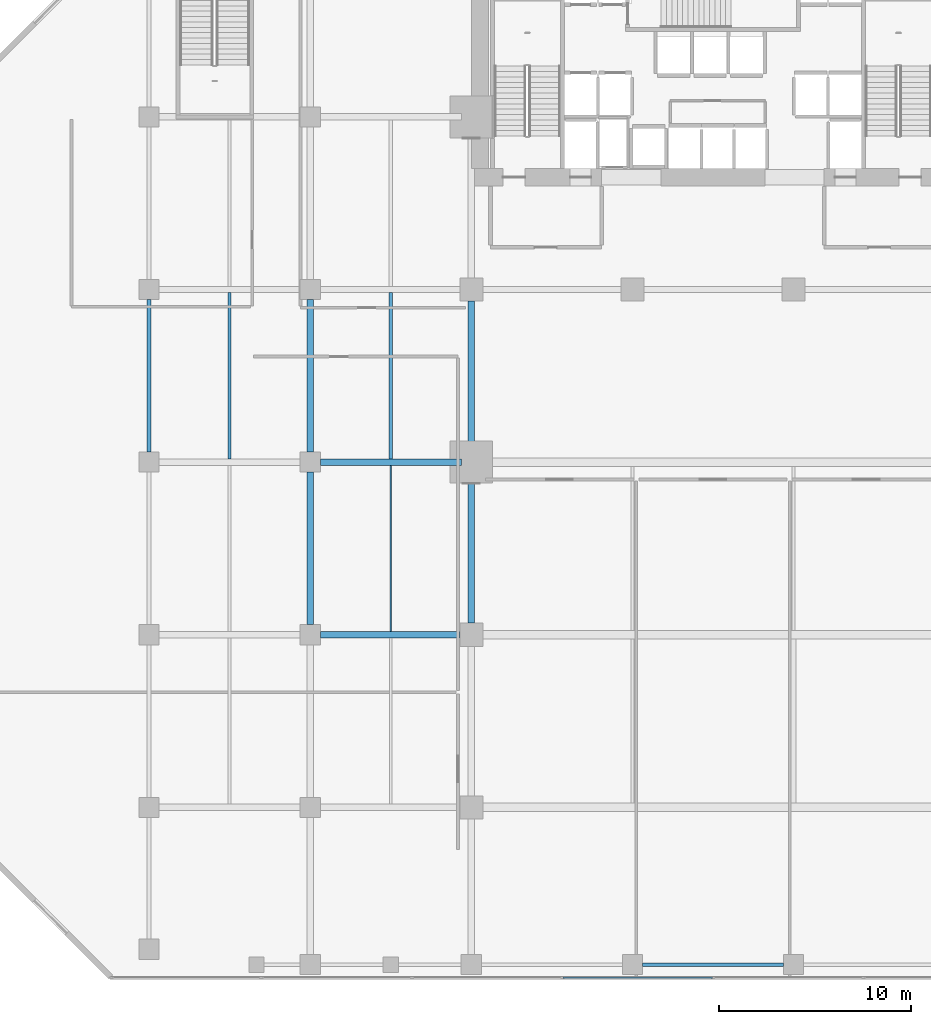
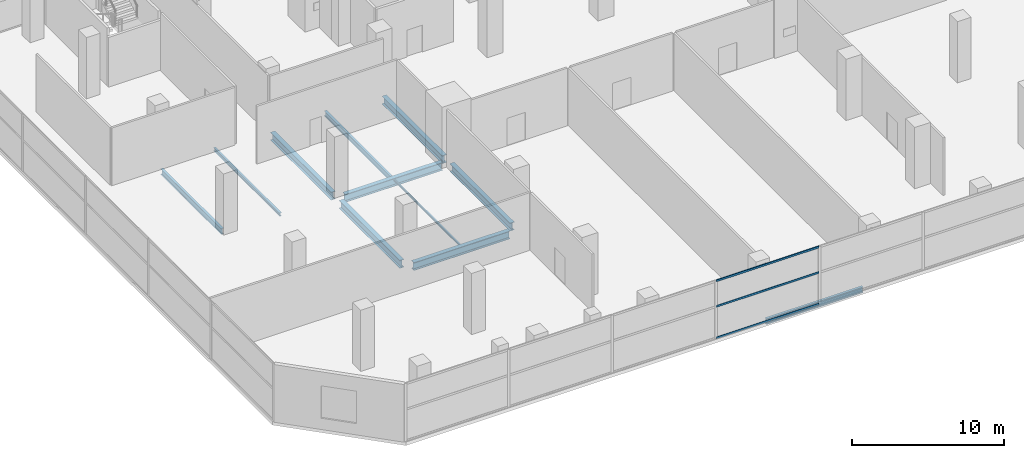
# One storey, part 12 of 39: 11 beams, 3 members, 1 element without a shape of its own.
"""IFC4 building model written with IfcOpenShell, lengths in metres."""

import ifcopenshell
import ifcopenshell.guid

model = None  # the IFC model being written
_history = None  # IfcOwnerHistory: only IFC2X3 demands one
_inside = {}  # id of a spatial element -> (the spatial element, [elements in it])
_under = {}  # id of a project, library or spatial element -> (it, [spatial elements below it])
_declared = {}  # id of a project -> (the project, [libraries it declares])
_typed = {}  # id of a type object -> (the type object, [elements of that type])
_made_of = {}  # id of a material, layer set ... -> (it, [elements and type objects made of it])


def new_model(schema):
    """Start an empty IFC model of exactly this schema.

    Asked for "IFC4X3", IfcOpenShell would pick the latest addendum, in which some entities
    have other attributes; the version numbers below select the first issue.
    IFC2X3 requires an IfcOwnerHistory on every rooted entity: one is made here for all.
    """
    global model, _history
    if schema == "IFC4X3":
        model = ifcopenshell.file(schema_version=(4, 3, 0, 0))
    else:
        model = ifcopenshell.file(schema=schema)
    _inside.clear()
    _under.clear()
    _declared.clear()
    _typed.clear()
    _made_of.clear()
    _history = None
    if model.schema == "IFC2X3":
        org = make("IfcOrganization", Name="unknown")
        user = make(
            "IfcPersonAndOrganization",
            ThePerson=make("IfcPerson", FamilyName="unknown"),
            TheOrganization=org,
        )
        app = make(
            "IfcApplication",
            ApplicationDeveloper=org,
            Version="unknown",
            ApplicationFullName="unknown",
            ApplicationIdentifier="unknown",
        )
        _history = make(
            "IfcOwnerHistory",
            OwningUser=user,
            OwningApplication=app,
            ChangeAction="ADDED",
            CreationDate=0,
        )
    return model


def make(cls, **values):
    """One entity of the class cls with the attributes given. An attribute that is None is left unset."""
    return model.create_entity(
        cls, **{name: value for name, value in values.items() if value is not None}
    )


def rooted(cls, **values):
    """An entity with a GlobalId (a new one), such as an element, a storey or a relation."""
    return make(cls, GlobalId=ifcopenshell.guid.new(), OwnerHistory=_history, **values)


def si_unit(unit_type, name, prefix=None):
    """IfcSIUnit, for example si_unit("LENGTHUNIT", "METRE", prefix="MILLI")."""
    return make("IfcSIUnit", UnitType=unit_type, Prefix=prefix, Name=name)


def assignment(units):
    """IfcUnitAssignment: the units of a project."""
    return None if units is None else make("IfcUnitAssignment", Units=units)


def point(xyz):
    """IfcCartesianPoint."""
    return None if xyz is None else make("IfcCartesianPoint", Coordinates=xyz)


def direction(xyz):
    """IfcDirection."""
    return None if xyz is None else make("IfcDirection", DirectionRatios=xyz)


def frame(location, z_axis=None, x_axis=None):
    """IfcAxis2Placement3D, a coordinate frame: its origin and axes. An axis left out is left unset."""
    return make(
        "IfcAxis2Placement3D",
        Location=point(location),
        Axis=direction(z_axis),
        RefDirection=direction(x_axis),
    )


def frame_2d(location, x_axis=None):
    """IfcAxis2Placement2D, a coordinate frame in the plane: its origin and x axis."""
    return make(
        "IfcAxis2Placement2D", Location=point(location), RefDirection=direction(x_axis)
    )


def origin():
    """The frame at (0, 0, 0) with its axes left unset."""
    return frame((0.0, 0.0, 0.0))


def origin_2d():
    """The frame at (0, 0) in the plane with its x axis left unset."""
    return frame_2d((0.0, 0.0))


def place(relative_to, where):
    """IfcLocalPlacement: puts the frame where relative to a parent placement (None: the world)."""
    return make(
        "IfcLocalPlacement", PlacementRelTo=relative_to, RelativePlacement=where
    )


def context(
    kind, dimensions, precision=None, world=None, true_north=None, identifier=None
):
    """IfcGeometricRepresentationContext, for example the 3D "Model" context."""
    return make(
        "IfcGeometricRepresentationContext",
        ContextIdentifier=identifier,
        ContextType=kind,
        CoordinateSpaceDimension=dimensions,
        Precision=precision,
        WorldCoordinateSystem=world,
        TrueNorth=true_north,
    )


def subcontext(parent, identifier, kind, view, scale=None):
    """IfcGeometricRepresentationSubContext, for example "Body" below "Model"."""
    return make(
        "IfcGeometricRepresentationSubContext",
        ContextIdentifier=identifier,
        ContextType=kind,
        ParentContext=parent,
        TargetScale=scale,
        TargetView=view,
    )


def project(units=None, contexts=None):
    """IfcProject with its units and contexts."""
    return rooted(
        "IfcProject",
        Name="project",
        RepresentationContexts=contexts,
        UnitsInContext=assignment(units),
    )


def spatial(cls, under=None, at=None, **own):
    """A site, building, storey or space (cls), placed at a placement, below another one or the project."""
    s = rooted(cls, ObjectPlacement=at, **own)
    if under is not None:
        _under.setdefault(under.id(), (under, []))[1].append(s)
    return s


def profile(cls, at=None, kind="AREA", **sizes):
    """A parametric profile (cls). Its sizes go by their IFC names, for example OverallWidth=200.0."""
    return make(cls, ProfileType=kind, Position=at, **sizes)


def hollow_rectangle(**sizes):
    """IfcRectangleHollowProfileDef."""
    return profile("IfcRectangleHollowProfileDef", **sizes)


def i_section(**sizes):
    """IfcIShapeProfileDef."""
    return profile("IfcIShapeProfileDef", **sizes)


def extrude(swept, where, along, depth):
    """IfcExtrudedAreaSolid: the profile swept, set in the frame where, extruded along a direction by depth."""
    return make(
        "IfcExtrudedAreaSolid",
        SweptArea=swept,
        Position=where,
        ExtrudedDirection=direction(along),
        Depth=depth,
    )


def shape(context_of_items, identifier, shape_type, items):
    """IfcShapeRepresentation: the items that make up one representation, for example the "Body"."""
    return make(
        "IfcShapeRepresentation",
        ContextOfItems=context_of_items,
        RepresentationIdentifier=identifier,
        RepresentationType=shape_type,
        Items=items,
    )


def material(Name=None, Category=None):
    """IfcMaterial."""
    return make("IfcMaterial", Name=Name, Category=Category)


def layer(
    of_material, thickness, ventilated=None, Name=None, Category=None, Priority=None
):
    """IfcMaterialLayer: one layer of a wall or slab, of a material (None: an air gap)."""
    return make(
        "IfcMaterialLayer",
        Material=of_material,
        LayerThickness=thickness,
        IsVentilated=ventilated,
        Name=Name,
        Category=Category,
        Priority=Priority,
    )


def layer_set(layers, Name=None):
    """IfcMaterialLayerSet."""
    return make("IfcMaterialLayerSet", MaterialLayers=layers, LayerSetName=Name)


def material_profile(
    of_material, cross_section, Name=None, Category=None, Priority=None
):
    """IfcMaterialProfile: a cross section and its material."""
    return make(
        "IfcMaterialProfile",
        Name=Name,
        Material=of_material,
        Profile=cross_section,
        Priority=Priority,
        Category=Category,
    )


def profile_set(profiles, Name=None, composite=None):
    """IfcMaterialProfileSet."""
    return make(
        "IfcMaterialProfileSet",
        Name=Name,
        MaterialProfiles=profiles,
        CompositeProfile=composite,
    )


def made_of(thing, what):
    """Note that an element or type object is made of a material, layer set ...; save() writes the relation."""
    if what is not None:
        _made_of.setdefault(what.id(), (what, []))[1].append(thing)
    return thing


def type_object(cls, material=None, **own):
    """A type object (cls), such as IfcWallType, which elements share."""
    return made_of(rooted(cls, **own), material)


def element(
    cls,
    number,
    at=None,
    inside=None,
    cuts=None,
    type_object=None,
    material=None,
    context=None,
    identifier="Body",
    shape_type=None,
    held_by="IfcProductDefinitionShape",
    body=None,
    shapes=None,
    **own,
):
    """One element of the class cls, such as IfcWall. Its Tag is "e" and its number.

    at: its placement. inside: the storey or other place that contains it. cuts: it is an
    opening in that element (IfcRelVoidsElement). A single representation is given by context,
    identifier, shape_type and body (its items); several are given by shapes. held_by: the class
    of the entity that holds the representations. save() writes the other relations.
    """
    e = rooted(cls, Tag="e%d" % number, ObjectPlacement=at, **own)
    if body is not None:
        shapes = [shape(context, identifier, shape_type, body)]
    if shapes is not None:
        e.Representation = make(held_by, Representations=shapes)
    if inside is not None:
        _inside.setdefault(inside.id(), (inside, []))[1].append(e)
    if cuts is not None:
        rooted(
            "IfcRelVoidsElement", RelatingBuildingElement=cuts, RelatedOpeningElement=e
        )
    if type_object is not None:
        _typed.setdefault(type_object.id(), (type_object, []))[1].append(e)
    return made_of(e, material)


def aggregate(whole, parts):
    """IfcRelAggregates: a whole, such as a stair, and the parts it consists of."""
    return rooted("IfcRelAggregates", RelatingObject=whole, RelatedObjects=parts)


def save(model, path):
    """Write the relations noted so far, then the file.

    IfcRelAggregates (storeys below a building ...), IfcRelContainedInSpatialStructure (elements
    in a storey), IfcRelDefinesByType, IfcRelAssociatesMaterial and IfcRelDeclares: one each for
    every whole, place, type object, material and project.
    """
    for whole, parts in _under.values():
        aggregate(whole, parts)
    for where, things in _inside.values():
        rooted(
            "IfcRelContainedInSpatialStructure",
            RelatedElements=things,
            RelatingStructure=where,
        )
    for kind, things in _typed.values():
        rooted("IfcRelDefinesByType", RelatedObjects=things, RelatingType=kind)
    for what, things in _made_of.values():
        rooted("IfcRelAssociatesMaterial", RelatedObjects=things, RelatingMaterial=what)
    for by, libraries in _declared.values():
        rooted("IfcRelDeclares", RelatingContext=by, RelatedDefinitions=libraries)
    model.write(path)


model = new_model("IFC4")

# Units and contexts
model_context = context("Model", 3, precision=1e-05, world=origin(), true_north=direction((0.0, 1.0)))
body_context = subcontext(model_context, "Body", "Model", "MODEL_VIEW")
ifc_project = project(units=[si_unit("LENGTHUNIT", "METRE"), si_unit("AREAUNIT", "SQUARE_METRE"), si_unit("VOLUMEUNIT", "CUBIC_METRE"), si_unit("PLANEANGLEUNIT", "RADIAN"), si_unit("MASSUNIT", "GRAM", prefix="KILO")], contexts=[model_context])

# Site, building, storey
site_placement = place(None, origin())
site = spatial("IfcSite", under=ifc_project, at=site_placement, CompositionType="ELEMENT")
building_placement = place(site_placement, origin())
building = spatial("IfcBuilding", under=site, at=building_placement, Name="Maruvema Waterfront Hotel and Observation Tower", CompositionType="ELEMENT")
storey_placement = place(building_placement, frame((0.0, 0.0, 16.449951171875)))
storey = spatial("IfcBuildingStorey", under=building, at=storey_placement, Name="L03", CompositionType="ELEMENT", Elevation=16.449951171875)

# Curtain wall, members
ifc_material_1 = material(Name="Anodised bronze aluminium and solar-control low-E IGU", Category="aluminium")
ifc_layer = layer(ifc_material_1, 0.159912109375, Name="Podium Waterfront Storefront Curtain Wall System CW-01")
ifc_layer_set = layer_set([ifc_layer], Name="Anodised bronze aluminium and solar-control low-E IGU")
curtain_wall_type = type_object("IfcCurtainWallType", Name="Podium Waterfront Storefront Curtain Wall System CW-01", PredefinedType="USERDEFINED", material=ifc_layer_set)
curtain_wall_placement = place(storey_placement, origin())
curtain_wall = element("IfcCurtainWall", 1, at=curtain_wall_placement, inside=storey, type_object=curtain_wall_type, Name="L03 Curtain Wall CW-L03-S", ObjectType="UNITISED CURTAIN WALL", PredefinedType="USERDEFINED")
ifc_material_2 = material(Name="Anodised architectural bronze aluminium", Category="aluminium")
ifc_material_profile_1 = material_profile(ifc_material_2, hollow_rectangle(XDim=0.070068359375, YDim=0.14990234375, WallThickness=0.00390625, at=origin_2d()), Name="ALU-T70x150")
ifc_profile_set_1 = profile_set([ifc_material_profile_1], Name="Anodised architectural bronze aluminium")
member_type = type_object("IfcMemberType", Name="Curtain Wall Horizontal Transom ALU-T70x150", PredefinedType="USERDEFINED", material=ifc_profile_set_1)
member_1_placement = place(storey_placement, frame((29.97998046875, 0.1201171875, 0.030029296875), z_axis=(1.0, 0.0, 0.0), x_axis=(0.0, 1.0, 0.0)))
member_1 = element("IfcMember", 2, at=member_1_placement, type_object=member_type, Name="CW-01 transom 4.1", ObjectType="TRANSOM", PredefinedType="USERDEFINED", context=body_context, shape_type="SweptSolid", body=[
    extrude(hollow_rectangle(XDim=0.070068359375, YDim=0.14990234375, WallThickness=0.00390625, at=origin_2d()), origin(), (0.0, 0.0, 1.0), 7.7900390625),
])
member_2_placement = place(storey_placement, frame((29.97998046875, 0.1201171875, 2.550048828125), z_axis=(1.0, 0.0, 0.0), x_axis=(0.0, 1.0, 0.0)))
member_2 = element("IfcMember", 3, at=member_2_placement, type_object=member_type, Name="CW-01 transom 4.2", ObjectType="TRANSOM", PredefinedType="USERDEFINED", context=body_context, shape_type="SweptSolid", body=[
    extrude(hollow_rectangle(XDim=0.070068359375, YDim=0.14990234375, WallThickness=0.00390625, at=origin_2d()), origin(), (0.0, 0.0, 1.0), 7.7900390625),
])
member_3_placement = place(storey_placement, frame((29.97998046875, 0.1201171875, 4.590087890625), z_axis=(1.0, 0.0, 0.0), x_axis=(0.0, 1.0, 0.0)))
member_3 = element("IfcMember", 4, at=member_3_placement, type_object=member_type, Name="CW-01 transom 4.3", ObjectType="TRANSOM", PredefinedType="USERDEFINED", context=body_context, shape_type="SweptSolid", body=[
    extrude(hollow_rectangle(XDim=0.070068359375, YDim=0.14990234375, WallThickness=0.00390625, at=origin_2d()), origin(), (0.0, 0.0, 1.0), 7.7900390625),
])
aggregate(curtain_wall, [member_1, member_2, member_3])

# Beams
ifc_material_3 = material(Name="Steel ASTM A572 Grade 50", Category="steel")
ifc_material_profile_2 = material_profile(ifc_material_3, i_section(OverallWidth=0.18994140625, OverallDepth=0.45703125, WebThickness=0.009033203125, FlangeThickness=0.014404296875, FilletRadius=0.014892578125, at=origin_2d()), Name="W460x74.0")
ifc_profile_set_2 = profile_set([ifc_material_profile_2], Name="Steel ASTM A572 Grade 50")
beam_type_1 = type_object("IfcBeamType", Name="Perimeter Spandrel Beam W460x74.0", PredefinedType="SPANDREL", material=ifc_profile_set_2)
beam_1_placement = place(storey_placement, frame((34.125, 0.800048828125, -0.508544921875), z_axis=(1.0, 0.0, 0.0), x_axis=(0.0, 1.0, 0.0)))
element("IfcBeam", 5, at=beam_1_placement, inside=storey, type_object=beam_type_1, Name="L03 Floor Girder EW-05", PredefinedType="SPANDREL", context=body_context, shape_type="SweptSolid", body=[
    extrude(i_section(OverallWidth=0.18994140625, OverallDepth=0.45703125, WebThickness=0.009033203125, FlangeThickness=0.014404296875, FilletRadius=0.014892578125, at=origin_2d()), origin(), (0.0, 0.0, 1.0), 7.35009765625),
])
beam_2_placement = place(storey_placement, frame((8.39990234375, 27.52490234375, -0.508544921875), z_axis=(0.0, 1.0, 0.0), x_axis=(-1.0, 0.0, 0.0)))
element("IfcBeam", 6, at=beam_2_placement, inside=storey, type_object=beam_type_1, Name="L03 Floor Girder NS-04", PredefinedType="SPANDREL", context=body_context, shape_type="SweptSolid", body=[
    extrude(i_section(OverallWidth=0.18994140625, OverallDepth=0.45703125, WebThickness=0.009033203125, FlangeThickness=0.014404296875, FilletRadius=0.014892578125, at=origin_2d()), origin(), (0.0, 0.0, 1.0), 7.9501953125),
])
ifc_material_4 = material(Name="Steel ASTM A572 Grade 50", Category="steel")
ifc_material_profile_3 = material_profile(ifc_material_4, i_section(OverallWidth=0.3291015625, OverallDepth=0.635009765625, WebThickness=0.017822265625, FlangeThickness=0.031005859375, FilletRadius=0.01806640625, at=origin_2d()), Name="W610x241.0")
ifc_profile_set_3 = profile_set([ifc_material_profile_3], Name="Steel ASTM A572 Grade 50")
beam_type_2 = type_object("IfcBeamType", Name="Primary Floor Girder W610x241.0", PredefinedType="BEAM", material=ifc_profile_set_3)
beam_3_placement = place(storey_placement, frame((17.324951171875, 18.0, -0.597412109375), z_axis=(1.0, 0.0, 0.0), x_axis=(0.0, 1.0, 0.0)))
element("IfcBeam", 7, at=beam_3_placement, inside=storey, type_object=beam_type_2, Name="L03 Floor Girder EW-16", PredefinedType="BEAM", context=body_context, shape_type="SweptSolid", body=[
    extrude(i_section(OverallWidth=0.3291015625, OverallDepth=0.635009765625, WebThickness=0.017822265625, FlangeThickness=0.031005859375, FilletRadius=0.01806640625, at=origin_2d()), origin(), (0.0, 0.0, 1.0), 7.275146484375),
])
beam_4_placement = place(storey_placement, frame((17.324951171875, 27.0, -0.597412109375), z_axis=(1.0, 0.0, 0.0), x_axis=(0.0, 1.0, 0.0)))
element("IfcBeam", 8, at=beam_4_placement, inside=storey, type_object=beam_type_2, Name="L03 Floor Girder EW-21", PredefinedType="BEAM", context=body_context, shape_type="SweptSolid", body=[
    extrude(i_section(OverallWidth=0.3291015625, OverallDepth=0.635009765625, WebThickness=0.017822265625, FlangeThickness=0.031005859375, FilletRadius=0.01806640625, at=origin_2d()), origin(), (0.0, 0.0, 1.0), 7.375),
])
for number, where, z_axis, x_axis, name in (
    (9, (16.800048828125, 18.52490234375, -0.597412109375), (0.0, 1.0, 0.0), (-1.0, 0.0, 0.0), "L03 Floor Girder NS-09"),
    (10, (16.800048828125, 27.52490234375, -0.597412109375), (0.0, 1.0, 0.0), (-1.0, 0.0, 0.0), "L03 Floor Girder NS-10"),
):
    element("IfcBeam", number, at=place(storey_placement, frame(where, z_axis=z_axis, x_axis=x_axis)), inside=storey, type_object=beam_type_2, Name=name, PredefinedType="BEAM", context=body_context, shape_type="SweptSolid", body=[
        extrude(i_section(OverallWidth=0.3291015625, OverallDepth=0.635009765625, WebThickness=0.017822265625, FlangeThickness=0.031005859375, FilletRadius=0.01806640625, at=origin_2d()), origin(), (0.0, 0.0, 1.0), 7.9501953125),
    ])
for number, where, z_axis, x_axis, name in (
    (11, (25.199951171875, 18.60009765625, -0.597412109375), (0.0, 1.0, 0.0), (-1.0, 0.0, 0.0), "L03 Floor Girder NS-15"),
    (12, (25.199951171875, 27.5, -0.597412109375), (0.0, 1.0, 0.0), (-1.0, 0.0, 0.0), "L03 Floor Girder NS-16"),
):
    element("IfcBeam", number, at=place(storey_placement, frame(where, z_axis=z_axis, x_axis=x_axis)), inside=storey, type_object=beam_type_2, Name=name, PredefinedType="BEAM", context=body_context, shape_type="SweptSolid", body=[
        extrude(i_section(OverallWidth=0.3291015625, OverallDepth=0.635009765625, WebThickness=0.017822265625, FlangeThickness=0.031005859375, FilletRadius=0.01806640625, at=origin_2d()), origin(), (0.0, 0.0, 1.0), 7.89990234375),
    ])
ifc_material_5 = material(Name="Steel ASTM A572 Grade 50", Category="steel")
ifc_material_profile_4 = material_profile(ifc_material_5, i_section(OverallWidth=0.10009765625, OverallDepth=0.153076171875, WebThickness=0.005859375, FlangeThickness=0.007080078125, FilletRadius=0.008056640625, at=origin_2d()), Name="W150x18.0")
ifc_profile_set_4 = profile_set([ifc_material_profile_4], Name="Steel ASTM A572 Grade 50")
beam_type_3 = type_object("IfcBeamType", Name="Secondary Floor Joist W150x18.0", PredefinedType="JOIST", material=ifc_profile_set_4)
beam_5_placement = place(storey_placement, frame((21.0, 18.16455078125, -0.3564453125), z_axis=(0.0, 1.0, 0.0), x_axis=(-1.0, 0.0, 0.0)))
element("IfcBeam", 13, at=beam_5_placement, inside=storey, type_object=beam_type_3, Name="L03 Secondary Floor Joist JS-06", PredefinedType="JOIST", context=body_context, shape_type="SweptSolid", body=[
    extrude(i_section(OverallWidth=0.10009765625, OverallDepth=0.153076171875, WebThickness=0.005859375, FlangeThickness=0.007080078125, FilletRadius=0.008056640625, at=origin_2d()), origin(), (0.0, 0.0, 1.0), 8.6708984375),
])
ifc_material_6 = material(Name="Steel ASTM A572 Grade 50", Category="steel")
ifc_material_profile_5 = material_profile(ifc_material_6, i_section(OverallWidth=0.14794921875, OverallDepth=0.26611328125, WebThickness=0.007568359375, FlangeThickness=0.012939453125, FilletRadius=0.012939453125, at=origin_2d()), Name="W250x44.8")
ifc_profile_set_5 = profile_set([ifc_material_profile_5], Name="Steel ASTM A572 Grade 50")
beam_type_4 = type_object("IfcBeamType", Name="Secondary Floor Joist W250x44.8", PredefinedType="JOIST", material=ifc_profile_set_5)
beam_6_placement = place(storey_placement, frame((12.60009765625, 27.16455078125, -0.412841796875), z_axis=(0.0, 1.0, 0.0), x_axis=(-1.0, 0.0, 0.0)))
element("IfcBeam", 14, at=beam_6_placement, inside=storey, type_object=beam_type_4, Name="L03 Secondary Floor Joist JS-03", PredefinedType="JOIST", context=body_context, shape_type="SweptSolid", body=[
    extrude(i_section(OverallWidth=0.14794921875, OverallDepth=0.26611328125, WebThickness=0.007568359375, FlangeThickness=0.012939453125, FilletRadius=0.012939453125, at=origin_2d()), origin(), (0.0, 0.0, 1.0), 8.6708984375),
])
ifc_material_7 = material(Name="Steel ASTM A572 Grade 50", Category="steel")
ifc_material_profile_6 = material_profile(ifc_material_7, i_section(OverallWidth=0.177001953125, OverallDepth=0.403076171875, WebThickness=0.007568359375, FlangeThickness=0.010986328125, FilletRadius=0.014892578125, at=origin_2d()), Name="W410x53.0")
ifc_profile_set_6 = profile_set([ifc_material_profile_6], Name="Steel ASTM A572 Grade 50")
beam_type_5 = type_object("IfcBeamType", Name="Secondary Floor Joist W410x53.0", PredefinedType="JOIST", material=ifc_profile_set_6)
beam_7_placement = place(storey_placement, frame((21.0, 27.16455078125, -0.4814453125), z_axis=(0.0, 1.0, 0.0), x_axis=(-1.0, 0.0, 0.0)))
element("IfcBeam", 15, at=beam_7_placement, inside=storey, type_object=beam_type_5, Name="L03 Secondary Floor Joist JS-07", PredefinedType="JOIST", context=body_context, shape_type="SweptSolid", body=[
    extrude(i_section(OverallWidth=0.177001953125, OverallDepth=0.403076171875, WebThickness=0.007568359375, FlangeThickness=0.010986328125, FilletRadius=0.014892578125, at=origin_2d()), origin(), (0.0, 0.0, 1.0), 8.6708984375),
])

save(model, "model.ifc")
